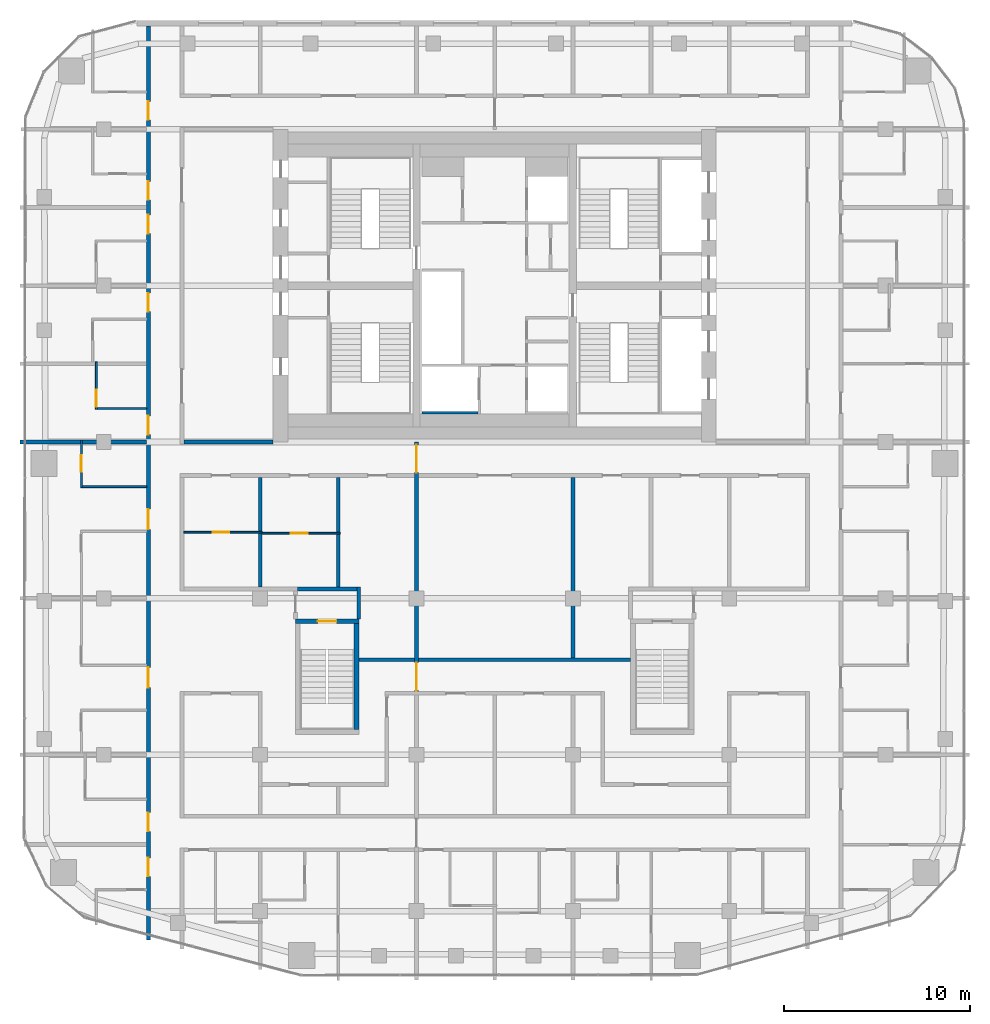
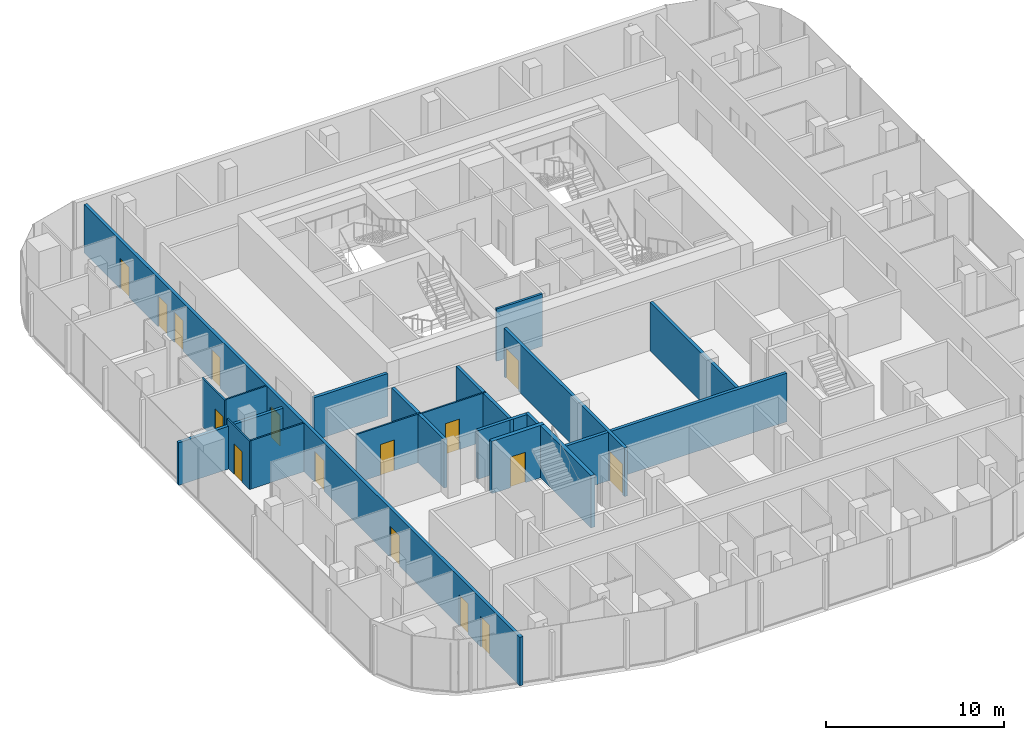
# One storey, part 15 of 22: 19 walls, 16 doors, 16 openings.
"""IFC4 building model written with IfcOpenShell, lengths in metres."""

from ifc_helpers import new_model, si_unit, direction, frame, frame_2d, origin, place, context, subcontext, project, spatial, rectangle, extrude, material, layer, layer_set, type_object, element, fill, save


model = new_model("IFC4")

# Units and contexts
model_context = context("Model", 3, precision=1e-05, world=origin(), true_north=direction((0.0, 1.0)))
body_context = subcontext(model_context, "Body", "Model", "MODEL_VIEW")
ifc_project = project(units=[si_unit("LENGTHUNIT", "METRE"), si_unit("AREAUNIT", "SQUARE_METRE"), si_unit("VOLUMEUNIT", "CUBIC_METRE"), si_unit("PLANEANGLEUNIT", "RADIAN"), si_unit("MASSUNIT", "GRAM", prefix="KILO")], contexts=[model_context])

# Site, building, storey
site_placement = place(None, origin())
site = spatial("IfcSite", under=ifc_project, at=site_placement, CompositionType="ELEMENT")
building_placement = place(site_placement, origin())
building = spatial("IfcBuilding", under=site, at=building_placement, Name="Marenta Gate Hotel Tower", CompositionType="ELEMENT")
storey_placement = place(building_placement, frame((0.0, 0.0, 230.89990234375)))
storey = spatial("IfcBuildingStorey", under=building, at=storey_placement, Name="L54", CompositionType="ELEMENT", Elevation=230.89990234375)

# Wall, openings, doors
ifc_material_1 = material(Name="Concrete blockwork", Category="masonry")
ifc_layer_1 = layer(ifc_material_1, 0.199951171875)
ifc_layer_set_1 = layer_set([ifc_layer_1], Name="Concrete blockwork")
wall_type_1 = type_object("IfcWallType", Name="Compartment wall 200 REI 180", PredefinedType="PARTITIONING", material=ifc_layer_set_1)
wall_1_placement = place(storey_placement, frame((-4.199951171875, -13.60009765625, 0.0), z_axis=(0.0, 0.0, 1.0), x_axis=(0.0, 1.0, 0.0)))
wall_1 = element("IfcWall", 1, at=wall_1_placement, inside=storey, type_object=wall_type_1, Name="L54-PTN-W080", PredefinedType="PARTITIONING", context=body_context, shape_type="SweptSolid", body=[
    extrude(rectangle(XDim=13.60009765625, YDim=0.199951171875, at=frame_2d((6.800048828125, 0.0))), origin(), (0.0, 0.0, 1.0), 3.340087890625),
])
opening_1_placement = place(wall_1_placement, frame((11.949951171875, 0.0, 0.0)))
opening_1 = element("IfcOpeningElement", 2, at=opening_1_placement, cuts=wall_1, Name="Opening G20-FD2", PredefinedType="OPENING", context=body_context, shape_type="SweptSolid", body=[
    extrude(rectangle(XDim=1.5, YDim=2.10009765625, at=frame_2d((0.75, 1.050048828125))), frame((0.0, 0.10009765625, 0.0), z_axis=(0.0, -1.0, 0.0), x_axis=(1.0, 0.0, 0.0)), (0.0, 0.0, 1.0), 0.199951171875),
])
opening_2_placement = place(wall_1_placement, frame((0.25, 0.0, 0.0)))
opening_2 = element("IfcOpeningElement", 3, at=opening_2_placement, cuts=wall_1, Name="Opening G20-FD3", PredefinedType="OPENING", context=body_context, shape_type="SweptSolid", body=[
    extrude(rectangle(XDim=1.5, YDim=2.10009765625, at=frame_2d((0.75, 1.050048828125))), frame((0.0, 0.10009765625, 0.0), z_axis=(0.0, -1.0, 0.0), x_axis=(1.0, 0.0, 0.0)), (0.0, 0.0, 1.0), 0.199951171875),
])
ifc_material_2 = material(Name="Hollow steel door set", Category="steel")
door_type_1 = type_object("IfcDoorType", Name="Compartment fire door 1500x2100 EI 60", OperationType="DOUBLE_DOOR_DOUBLE_SWING", PredefinedType="DOOR", material=ifc_material_2)
door_1_placement = place(opening_1_placement, origin())
door_1 = element("IfcDoor", 4, at=door_1_placement, inside=storey, type_object=door_type_1, Name="L54-PD-FD02", OperationType="DOUBLE_DOOR_DOUBLE_SWING", OverallHeight=2.10009765625, OverallWidth=1.5, PredefinedType="DOOR", context=body_context, shape_type="SweptSolid", body=[
    extrude(rectangle(XDim=1.5, YDim=2.10009765625, at=frame_2d((0.75, 1.050048828125))), frame((0.0, 0.02490234375, 0.0), z_axis=(0.0, -1.0, 0.0), x_axis=(1.0, 0.0, 0.0)), (0.0, 0.0, 1.0), 0.050048828125),
])
fill(opening_1, door_1)
door_2_placement = place(opening_2_placement, origin())
door_2 = element("IfcDoor", 5, at=door_2_placement, inside=storey, type_object=door_type_1, Name="L54-PD-FD03", OperationType="DOUBLE_DOOR_DOUBLE_SWING", OverallHeight=2.10009765625, OverallWidth=1.5, PredefinedType="DOOR", context=body_context, shape_type="SweptSolid", body=[
    extrude(rectangle(XDim=1.5, YDim=2.10009765625, at=frame_2d((0.75, 1.050048828125))), frame((0.0, 0.02490234375, 0.0), z_axis=(0.0, -1.0, 0.0), x_axis=(1.0, 0.0, 0.0)), (0.0, 0.0, 1.0), 0.050048828125),
])
fill(opening_2, door_2)

# Walls
ifc_material_3 = material(Name="Concrete blockwork", Category="masonry")
ifc_layer_2 = layer(ifc_material_3, 0.199951171875)
ifc_layer_set_2 = layer_set([ifc_layer_2], Name="Concrete blockwork")
wall_type_2 = type_object("IfcWallType", Name="Core boundary wall 200 REI 180", PredefinedType="PARTITIONING", material=ifc_layer_set_2)
wall_2_placement = place(storey_placement, frame((-16.699951171875, 0.0, 0.0), z_axis=(0.0, 0.0, 1.0), x_axis=(1.0, 0.0, 0.0)))
element("IfcWall", 6, at=wall_2_placement, inside=storey, type_object=wall_type_2, Name="L54-CP-EW-WS", PredefinedType="PARTITIONING", context=body_context, shape_type="SweptSolid", body=[
    extrude(rectangle(XDim=4.800048828125, YDim=0.199951171875, at=frame_2d((2.39990234375, 0.0))), origin(), (0.0, 0.0, 1.0), 2.940185546875),
])
ifc_material_4 = material(Name="Concrete C40", Category="concrete")
ifc_layer_3 = layer(ifc_material_4, 0.14990234375)
ifc_layer_set_3 = layer_set([ifc_layer_3], Name="Concrete C40")
wall_type_3 = type_object("IfcWallType", Name="Core shaft wall 150 REI 180", PredefinedType="SHEAR", material=ifc_layer_set_3)
wall_3_placement = place(storey_placement, frame((-3.89990234375, 1.574951171875, 0.0), z_axis=(0.0, 0.0, 1.0), x_axis=(1.0, 0.0, 0.0)))
element("IfcWall", 7, at=wall_3_placement, inside=storey, type_object=wall_type_3, Name="L54-SHF-CW-W-ffs", PredefinedType="SHEAR", context=body_context, shape_type="SweptSolid", body=[
    extrude(rectangle(XDim=3.0, YDim=0.14990234375, at=frame_2d((1.5, 0.0))), origin(), (0.0, 0.0, 1.0), 3.60009765625),
])

# Wall, opening, door
ifc_material_5 = material(Name="Concrete C40", Category="concrete")
ifc_layer_4 = layer(ifc_material_5, 0.25)
ifc_layer_set_4 = layer_set([ifc_layer_4], Name="Concrete C40")
wall_type_4 = type_object("IfcWallType", Name="Remote stair enclosure wall 250 REI 180", PredefinedType="SHEAR", material=ifc_layer_set_4)
wall_4_placement = place(storey_placement, frame((-10.699951171875, -9.625, 0.10009765625), z_axis=(0.0, 0.0, 1.0), x_axis=(1.0, 0.0, 0.0)))
wall_4 = element("IfcWall", 8, at=wall_4_placement, inside=storey, type_object=wall_type_4, Name="L54-RS-Z3-1-W2", PredefinedType="SHEAR", context=body_context, shape_type="SweptSolid", body=[
    extrude(rectangle(XDim=3.39990234375, YDim=0.25, at=frame_2d((1.699951171875, 0.0))), origin(), (0.0, 0.0, 1.0), 3.60009765625),
])
opening_3_placement = place(wall_4_placement, frame((1.199951171875, 0.0, 0.0)))
opening_3 = element("IfcOpeningElement", 9, at=opening_3_placement, cuts=wall_4, Name="Opening VD", PredefinedType="OPENING", context=body_context, shape_type="SweptSolid", body=[
    extrude(rectangle(XDim=1.0, YDim=2.10009765625, at=frame_2d((0.5, 1.050048828125))), frame((0.0, 0.125, 0.0), z_axis=(0.0, -1.0, 0.0), x_axis=(1.0, 0.0, 0.0)), (0.0, 0.0, 1.0), 0.25),
])
ifc_material_6 = material(Name="Steel", Category="steel")
door_type_2 = type_object("IfcDoorType", Name="Stair vestibule door 1000x2100 FD60", OperationType="SINGLE_SWING_LEFT", PredefinedType="DOOR", material=ifc_material_6)
door_3_placement = place(opening_3_placement, origin())
door_3 = element("IfcDoor", 10, at=door_3_placement, inside=storey, type_object=door_type_2, Name="VD", OperationType="SINGLE_SWING_LEFT", OverallHeight=2.10009765625, OverallWidth=1.0, PredefinedType="DOOR", context=body_context, shape_type="SweptSolid", body=[
    extrude(rectangle(XDim=1.0, YDim=2.10009765625, at=frame_2d((0.5, 1.050048828125))), frame((0.0, 0.02490234375, 0.0), z_axis=(0.0, -1.0, 0.0), x_axis=(1.0, 0.0, 0.0)), (0.0, 0.0, 1.0), 0.050048828125),
])
fill(opening_3, door_3)

# Walls
wall_5_placement = place(storey_placement, frame((-7.425048828125, -15.449951171875, 0.10009765625), z_axis=(0.0, 0.0, 1.0), x_axis=(0.0, 1.0, 0.0)))
element("IfcWall", 11, at=wall_5_placement, inside=storey, type_object=wall_type_4, Name="L54-RS-Z3-1-W4", PredefinedType="SHEAR", context=body_context, shape_type="SweptSolid", body=[
    extrude(rectangle(XDim=5.699951171875, YDim=0.25, at=frame_2d((2.85009765625, 0.0))), origin(), (0.0, 0.0, 1.0), 3.60009765625),
])
ifc_material_7 = material(Name="Gypsum board on steel stud", Category="steel")
ifc_layer_5 = layer(ifc_material_7, 0.199951171875)
ifc_layer_set_5 = layer_set([ifc_layer_5], Name="Gypsum board on steel stud")
wall_type_5 = type_object("IfcWallType", Name="Room corridor wall 200 EI 60", PredefinedType="PARTITIONING", material=ifc_layer_set_5)
wall_6_placement = place(storey_placement, frame((-7.300048828125, -11.699951171875, 0.0), z_axis=(0.0, 0.0, 1.0), x_axis=(1.0, 0.0, 0.0)))
element("IfcWall", 12, at=wall_6_placement, inside=storey, type_object=wall_type_5, Name="L54-PTN-W045", PredefinedType="PARTITIONING", context=body_context, shape_type="SweptSolid", body=[
    extrude(rectangle(XDim=14.60009765625, YDim=0.199951171875, at=frame_2d((7.300048828125, 0.0))), origin(), (0.0, 0.0, 1.0), 3.340087890625),
])

# Wall, openings, doors
wall_7_placement = place(storey_placement, frame((-18.60009765625, -26.7509765625, 0.0), z_axis=(0.0, 0.0, 1.0), x_axis=(0.0, 1.0, 0.0)))
wall_7 = element("IfcWall", 13, at=wall_7_placement, inside=storey, type_object=wall_type_5, Name="L54-PTN-W113", PredefinedType="PARTITIONING", context=body_context, shape_type="SweptSolid", body=[
    extrude(rectangle(XDim=49.091064453125, YDim=0.199951171875, at=frame_2d((24.54541015625, 0.0))), origin(), (0.0, 0.0, 1.0), 3.340087890625),
])
opening_4_placement = place(wall_7_placement, frame((3.4130859375, 0.0, 0.0)))
opening_4 = element("IfcOpeningElement", 14, at=opening_4_placement, cuts=wall_7, Name="Opening G20-52", PredefinedType="OPENING", context=body_context, shape_type="SweptSolid", body=[
    extrude(rectangle(XDim=1.0, YDim=2.10009765625, at=frame_2d((0.5, 1.050048828125))), frame((0.0, 0.10009765625, 0.0), z_axis=(0.0, -1.0, 0.0), x_axis=(1.0, 0.0, 0.0)), (0.0, 0.0, 1.0), 0.199951171875),
])
opening_5_placement = place(wall_7_placement, frame((5.837890625, 0.0, 0.0)))
opening_5 = element("IfcOpeningElement", 15, at=opening_5_placement, cuts=wall_7, Name="Opening G20-54", PredefinedType="OPENING", context=body_context, shape_type="SweptSolid", body=[
    extrude(rectangle(XDim=1.0, YDim=2.10009765625, at=frame_2d((0.5, 1.050048828125))), frame((0.0, 0.10009765625, 0.0), z_axis=(0.0, -1.0, 0.0), x_axis=(1.0, 0.0, 0.0)), (0.0, 0.0, 1.0), 0.199951171875),
])
opening_6_placement = place(wall_7_placement, frame((13.551025390625, 0.0, 0.0)))
opening_6 = element("IfcOpeningElement", 16, at=opening_6_placement, cuts=wall_7, Name="Opening G20-56", PredefinedType="OPENING", context=body_context, shape_type="SweptSolid", body=[
    extrude(rectangle(XDim=1.10009765625, YDim=2.10009765625, at=frame_2d((0.550048828125, 1.050048828125))), frame((0.0, 0.10009765625, 0.0), z_axis=(0.0, -1.0, 0.0), x_axis=(1.0, 0.0, 0.0)), (0.0, 0.0, 1.0), 0.199951171875),
])
opening_7_placement = place(wall_7_placement, frame((22.051025390625, 0.0, 0.0)))
opening_7 = element("IfcOpeningElement", 17, at=opening_7_placement, cuts=wall_7, Name="Opening G20-59", PredefinedType="OPENING", context=body_context, shape_type="SweptSolid", body=[
    extrude(rectangle(XDim=1.10009765625, YDim=2.10009765625, at=frame_2d((0.550048828125, 1.050048828125))), frame((0.0, 0.10009765625, 0.0), z_axis=(0.0, -1.0, 0.0), x_axis=(1.0, 0.0, 0.0)), (0.0, 0.0, 1.0), 0.199951171875),
])
opening_8_placement = place(wall_7_placement, frame((27.15087890625, 0.0, 0.0)))
opening_8 = element("IfcOpeningElement", 18, at=opening_8_placement, cuts=wall_7, Name="Opening G20-62", PredefinedType="OPENING", context=body_context, shape_type="SweptSolid", body=[
    extrude(rectangle(XDim=1.0, YDim=2.10009765625, at=frame_2d((0.5, 1.050048828125))), frame((0.0, 0.10009765625, 0.0), z_axis=(0.0, -1.0, 0.0), x_axis=(1.0, 0.0, 0.0)), (0.0, 0.0, 1.0), 0.199951171875),
])
opening_9_placement = place(wall_7_placement, frame((33.7509765625, 0.0, 0.0)))
opening_9 = element("IfcOpeningElement", 19, at=opening_9_placement, cuts=wall_7, Name="Opening G20-64", PredefinedType="OPENING", context=body_context, shape_type="SweptSolid", body=[
    extrude(rectangle(XDim=1.0, YDim=2.10009765625, at=frame_2d((0.5, 1.050048828125))), frame((0.0, 0.10009765625, 0.0), z_axis=(0.0, -1.0, 0.0), x_axis=(1.0, 0.0, 0.0)), (0.0, 0.0, 1.0), 0.199951171875),
])
opening_10_placement = place(wall_7_placement, frame((37.950927734375, 0.0, 0.0)))
opening_10 = element("IfcOpeningElement", 20, at=opening_10_placement, cuts=wall_7, Name="Opening G20-66", PredefinedType="OPENING", context=body_context, shape_type="SweptSolid", body=[
    extrude(rectangle(XDim=1.0, YDim=2.10009765625, at=frame_2d((0.5, 1.050048828125))), frame((0.0, 0.10009765625, 0.0), z_axis=(0.0, -1.0, 0.0), x_axis=(1.0, 0.0, 0.0)), (0.0, 0.0, 1.0), 0.199951171875),
])
opening_11_placement = place(wall_7_placement, frame((39.7509765625, 0.0, 0.0)))
opening_11 = element("IfcOpeningElement", 21, at=opening_11_placement, cuts=wall_7, Name="Opening G20-68", PredefinedType="OPENING", context=body_context, shape_type="SweptSolid", body=[
    extrude(rectangle(XDim=1.0, YDim=2.10009765625, at=frame_2d((0.5, 1.050048828125))), frame((0.0, 0.10009765625, 0.0), z_axis=(0.0, -1.0, 0.0), x_axis=(1.0, 0.0, 0.0)), (0.0, 0.0, 1.0), 0.199951171875),
])
opening_12_placement = place(wall_7_placement, frame((44.051025390625, 0.0, 0.0)))
opening_12 = element("IfcOpeningElement", 22, at=opening_12_placement, cuts=wall_7, Name="Opening G20-70", PredefinedType="OPENING", context=body_context, shape_type="SweptSolid", body=[
    extrude(rectangle(XDim=1.0, YDim=2.10009765625, at=frame_2d((0.5, 1.050048828125))), frame((0.0, 0.10009765625, 0.0), z_axis=(0.0, -1.0, 0.0), x_axis=(1.0, 0.0, 0.0)), (0.0, 0.0, 1.0), 0.199951171875),
])
ifc_material_8 = material(Name="Timber door leaf", Category="wood")
door_type_3 = type_object("IfcDoorType", Name="Guest room door 1000x2100 EI 30", OperationType="NOTDEFINED", PredefinedType="DOOR", material=ifc_material_8)
door_4_placement = place(opening_4_placement, origin())
door_4 = element("IfcDoor", 23, at=door_4_placement, inside=storey, type_object=door_type_3, Name="L54-PD-D052", OperationType="SINGLE_SWING_LEFT", OverallHeight=2.10009765625, OverallWidth=1.0, PredefinedType="DOOR", context=body_context, shape_type="SweptSolid", body=[
    extrude(rectangle(XDim=1.0, YDim=2.10009765625, at=frame_2d((0.5, 1.050048828125))), frame((0.0, 0.02490234375, 0.0), z_axis=(0.0, -1.0, 0.0), x_axis=(1.0, 0.0, 0.0)), (0.0, 0.0, 1.0), 0.050048828125),
])
fill(opening_4, door_4)
door_5_placement = place(opening_5_placement, origin())
door_5 = element("IfcDoor", 24, at=door_5_placement, inside=storey, type_object=door_type_3, Name="L54-PD-D054", OperationType="SINGLE_SWING_LEFT", OverallHeight=2.10009765625, OverallWidth=1.0, PredefinedType="DOOR", context=body_context, shape_type="SweptSolid", body=[
    extrude(rectangle(XDim=1.0, YDim=2.10009765625, at=frame_2d((0.5, 1.050048828125))), frame((0.0, 0.02490234375, 0.0), z_axis=(0.0, -1.0, 0.0), x_axis=(1.0, 0.0, 0.0)), (0.0, 0.0, 1.0), 0.050048828125),
])
fill(opening_5, door_5)
door_6_placement = place(opening_8_placement, origin())
door_6 = element("IfcDoor", 25, at=door_6_placement, inside=storey, type_object=door_type_3, Name="L54-PD-D062", OperationType="SINGLE_SWING_LEFT", OverallHeight=2.10009765625, OverallWidth=1.0, PredefinedType="DOOR", context=body_context, shape_type="SweptSolid", body=[
    extrude(rectangle(XDim=1.0, YDim=2.10009765625, at=frame_2d((0.5, 1.050048828125))), frame((0.0, 0.02490234375, 0.0), z_axis=(0.0, -1.0, 0.0), x_axis=(1.0, 0.0, 0.0)), (0.0, 0.0, 1.0), 0.050048828125),
])
fill(opening_8, door_6)
door_7_placement = place(opening_9_placement, origin())
door_7 = element("IfcDoor", 26, at=door_7_placement, inside=storey, type_object=door_type_3, Name="L54-PD-D064", OperationType="SINGLE_SWING_LEFT", OverallHeight=2.10009765625, OverallWidth=1.0, PredefinedType="DOOR", context=body_context, shape_type="SweptSolid", body=[
    extrude(rectangle(XDim=1.0, YDim=2.10009765625, at=frame_2d((0.5, 1.050048828125))), frame((0.0, 0.02490234375, 0.0), z_axis=(0.0, -1.0, 0.0), x_axis=(1.0, 0.0, 0.0)), (0.0, 0.0, 1.0), 0.050048828125),
])
fill(opening_9, door_7)
door_8_placement = place(opening_10_placement, origin())
door_8 = element("IfcDoor", 27, at=door_8_placement, inside=storey, type_object=door_type_3, Name="L54-PD-D066", OperationType="SINGLE_SWING_LEFT", OverallHeight=2.10009765625, OverallWidth=1.0, PredefinedType="DOOR", context=body_context, shape_type="SweptSolid", body=[
    extrude(rectangle(XDim=1.0, YDim=2.10009765625, at=frame_2d((0.5, 1.050048828125))), frame((0.0, 0.02490234375, 0.0), z_axis=(0.0, -1.0, 0.0), x_axis=(1.0, 0.0, 0.0)), (0.0, 0.0, 1.0), 0.050048828125),
])
fill(opening_10, door_8)
door_9_placement = place(opening_11_placement, origin())
door_9 = element("IfcDoor", 28, at=door_9_placement, inside=storey, type_object=door_type_3, Name="L54-PD-D068", OperationType="SINGLE_SWING_LEFT", OverallHeight=2.10009765625, OverallWidth=1.0, PredefinedType="DOOR", context=body_context, shape_type="SweptSolid", body=[
    extrude(rectangle(XDim=1.0, YDim=2.10009765625, at=frame_2d((0.5, 1.050048828125))), frame((0.0, 0.02490234375, 0.0), z_axis=(0.0, -1.0, 0.0), x_axis=(1.0, 0.0, 0.0)), (0.0, 0.0, 1.0), 0.050048828125),
])
fill(opening_11, door_9)
door_10_placement = place(opening_12_placement, origin())
door_10 = element("IfcDoor", 29, at=door_10_placement, inside=storey, type_object=door_type_3, Name="L54-PD-D070", OperationType="SINGLE_SWING_LEFT", OverallHeight=2.10009765625, OverallWidth=1.0, PredefinedType="DOOR", context=body_context, shape_type="SweptSolid", body=[
    extrude(rectangle(XDim=1.0, YDim=2.10009765625, at=frame_2d((0.5, 1.050048828125))), frame((0.0, 0.02490234375, 0.0), z_axis=(0.0, -1.0, 0.0), x_axis=(1.0, 0.0, 0.0)), (0.0, 0.0, 1.0), 0.050048828125),
])
fill(opening_12, door_10)
ifc_material_9 = material(Name="Timber door leaf", Category="wood")
door_type_4 = type_object("IfcDoorType", Name="Guest room door 1100x2100 EI 30", OperationType="NOTDEFINED", PredefinedType="DOOR", material=ifc_material_9)
door_11_placement = place(opening_6_placement, origin())
door_11 = element("IfcDoor", 30, at=door_11_placement, inside=storey, type_object=door_type_4, Name="L54-PD-D056", OperationType="SINGLE_SWING_RIGHT", OverallHeight=2.10009765625, OverallWidth=1.10009765625, PredefinedType="DOOR", context=body_context, shape_type="SweptSolid", body=[
    extrude(rectangle(XDim=1.10009765625, YDim=2.10009765625, at=frame_2d((0.550048828125, 1.050048828125))), frame((0.0, 0.02490234375, 0.0), z_axis=(0.0, -1.0, 0.0), x_axis=(1.0, 0.0, 0.0)), (0.0, 0.0, 1.0), 0.050048828125),
])
fill(opening_6, door_11)
door_12_placement = place(opening_7_placement, origin())
door_12 = element("IfcDoor", 31, at=door_12_placement, inside=storey, type_object=door_type_4, Name="L54-PD-D059", OperationType="SINGLE_SWING_LEFT", OverallHeight=2.10009765625, OverallWidth=1.10009765625, PredefinedType="DOOR", context=body_context, shape_type="SweptSolid", body=[
    extrude(rectangle(XDim=1.10009765625, YDim=2.10009765625, at=frame_2d((0.550048828125, 1.050048828125))), frame((0.0, 0.02490234375, 0.0), z_axis=(0.0, -1.0, 0.0), x_axis=(1.0, 0.0, 0.0)), (0.0, 0.0, 1.0), 0.050048828125),
])
fill(opening_7, door_12)

# Wall, opening, door
ifc_material_10 = material(Name="Gypsum board on steel stud", Category="steel")
ifc_layer_6 = layer(ifc_material_10, 0.10009765625)
ifc_layer_set_6 = layer_set([ifc_layer_6], Name="Gypsum board on steel stud")
wall_type_6 = type_object("IfcWallType", Name="Room partition 100", PredefinedType="PARTITIONING", material=ifc_layer_set_6)
wall_8_placement = place(storey_placement, frame((-12.5, -4.89990234375, 0.0), z_axis=(0.0, 0.0, 1.0), x_axis=(1.0, 0.0, 0.0)))
wall_8 = element("IfcWall", 32, at=wall_8_placement, inside=storey, type_object=wall_type_6, Name="L54-PTN-W059", PredefinedType="PARTITIONING", context=body_context, shape_type="SweptSolid", body=[
    extrude(rectangle(XDim=4.199951171875, YDim=0.10009765625, at=frame_2d((2.10009765625, 0.0))), origin(), (0.0, 0.0, 1.0), 3.340087890625),
])
opening_13_placement = place(wall_8_placement, frame((1.550048828125, 0.0, 0.0)))
opening_13 = element("IfcOpeningElement", 33, at=opening_13_placement, cuts=wall_8, Name="Opening G20-04", PredefinedType="OPENING", context=body_context, shape_type="SweptSolid", body=[
    extrude(rectangle(XDim=0.89990234375, YDim=2.10009765625, at=frame_2d((0.449951171875, 1.050048828125))), frame((0.0, 0.050048828125, 0.0), z_axis=(0.0, -1.0, 0.0), x_axis=(1.0, 0.0, 0.0)), (0.0, 0.0, 1.0), 0.10009765625),
])
ifc_material_11 = material(Name="Timber door leaf", Category="wood")
door_type_5 = type_object("IfcDoorType", Name="Room inner door 900x2100", OperationType="NOTDEFINED", PredefinedType="DOOR", material=ifc_material_11)
door_13_placement = place(opening_13_placement, origin())
door_13 = element("IfcDoor", 34, at=door_13_placement, inside=storey, type_object=door_type_5, Name="L54-PD-D004", OperationType="SINGLE_SWING_RIGHT", OverallHeight=2.10009765625, OverallWidth=0.89990234375, PredefinedType="DOOR", context=body_context, shape_type="SweptSolid", body=[
    extrude(rectangle(XDim=0.89990234375, YDim=2.10009765625, at=frame_2d((0.449951171875, 1.050048828125))), frame((0.0, 0.02490234375, 0.0), z_axis=(0.0, -1.0, 0.0), x_axis=(1.0, 0.0, 0.0)), (0.0, 0.0, 1.0), 0.050048828125),
])
fill(opening_13, door_13)

wall_9_placement = place(storey_placement, frame((-16.699951171875, -4.85009765625, 0.0), z_axis=(0.0, 0.0, 1.0), x_axis=(1.0, 0.0, 0.0)))
wall_9 = element("IfcWall", 35, at=wall_9_placement, inside=storey, type_object=wall_type_6, Name="L54-PTN-W060", PredefinedType="PARTITIONING", context=body_context, shape_type="SweptSolid", body=[
    extrude(rectangle(XDim=4.199951171875, YDim=0.10009765625, at=frame_2d((2.10009765625, 0.0))), origin(), (0.0, 0.0, 1.0), 3.340087890625),
])
opening_14_placement = place(wall_9_placement, frame((1.550048828125, 0.0, 0.0)))
opening_14 = element("IfcOpeningElement", 36, at=opening_14_placement, cuts=wall_9, Name="Opening G20-02", PredefinedType="OPENING", context=body_context, shape_type="SweptSolid", body=[
    extrude(rectangle(XDim=0.89990234375, YDim=2.10009765625, at=frame_2d((0.449951171875, 1.050048828125))), frame((0.0, 0.050048828125, 0.0), z_axis=(0.0, -1.0, 0.0), x_axis=(1.0, 0.0, 0.0)), (0.0, 0.0, 1.0), 0.10009765625),
])
door_14_placement = place(opening_14_placement, origin())
door_14 = element("IfcDoor", 37, at=door_14_placement, inside=storey, type_object=door_type_5, Name="L54-PD-D002", OperationType="SINGLE_SWING_RIGHT", OverallHeight=2.10009765625, OverallWidth=0.89990234375, PredefinedType="DOOR", context=body_context, shape_type="SweptSolid", body=[
    extrude(rectangle(XDim=0.89990234375, YDim=2.10009765625, at=frame_2d((0.449951171875, 1.050048828125))), frame((0.0, 0.02490234375, 0.0), z_axis=(0.0, -1.0, 0.0), x_axis=(1.0, 0.0, 0.0)), (0.0, 0.0, 1.0), 0.050048828125),
])
fill(opening_14, door_14)

# Walls
wall_10_placement = place(storey_placement, frame((-22.14990234375, -2.39990234375, 0.0), z_axis=(0.0, 0.0, 1.0), x_axis=(1.0, 0.0, 0.0)))
element("IfcWall", 38, at=wall_10_placement, inside=storey, type_object=wall_type_6, Name="L54-PTN-W068", PredefinedType="PARTITIONING", context=body_context, shape_type="SweptSolid", body=[
    extrude(rectangle(XDim=3.449951171875, YDim=0.10009765625, at=frame_2d((1.72509765625, 0.0))), origin(), (0.0, 0.0, 1.0), 3.340087890625),
])
wall_11_placement = place(storey_placement, frame((-21.35009765625, 1.800048828125, 0.0), z_axis=(0.0, 0.0, 1.0), x_axis=(1.0, 0.0, 0.0)))
element("IfcWall", 39, at=wall_11_placement, inside=storey, type_object=wall_type_6, Name="L54-PTN-W076", PredefinedType="PARTITIONING", context=body_context, shape_type="SweptSolid", body=[
    extrude(rectangle(XDim=2.650146484375, YDim=0.10009765625, at=frame_2d((1.3251953125, 0.0))), origin(), (0.0, 0.0, 1.0), 3.340087890625),
])

# Wall, opening, door
wall_12_placement = place(storey_placement, frame((-21.39990234375, 1.75, 0.0), z_axis=(0.0, 0.0, 1.0), x_axis=(0.0, 1.0, 0.0)))
wall_12 = element("IfcWall", 40, at=wall_12_placement, inside=storey, type_object=wall_type_6, Name="L54-PTN-W118", PredefinedType="PARTITIONING", context=body_context, shape_type="SweptSolid", body=[
    extrude(rectangle(XDim=2.550048828125, YDim=0.10009765625, at=frame_2d((1.27490234375, 0.0))), origin(), (0.0, 0.0, 1.0), 3.340087890625),
])
opening_15_placement = place(wall_12_placement, frame((0.14990234375, 0.0, 0.0)))
opening_15 = element("IfcOpeningElement", 41, at=opening_15_placement, cuts=wall_12, Name="Opening G20-63", PredefinedType="OPENING", context=body_context, shape_type="SweptSolid", body=[
    extrude(rectangle(XDim=0.89990234375, YDim=2.10009765625, at=frame_2d((0.449951171875, 1.050048828125))), frame((0.0, 0.050048828125, 0.0), z_axis=(0.0, -1.0, 0.0), x_axis=(1.0, 0.0, 0.0)), (0.0, 0.0, 1.0), 0.10009765625),
])
ifc_material_12 = material(Name="Timber door leaf", Category="wood")
door_type_6 = type_object("IfcDoorType", Name="Guest bathroom door 900x2100", OperationType="NOTDEFINED", PredefinedType="DOOR", material=ifc_material_12)
door_15_placement = place(opening_15_placement, origin())
door_15 = element("IfcDoor", 42, at=door_15_placement, inside=storey, type_object=door_type_6, Name="L54-PD-D063", OperationType="SINGLE_SWING_RIGHT", OverallHeight=2.10009765625, OverallWidth=0.89990234375, PredefinedType="DOOR", context=body_context, shape_type="SweptSolid", body=[
    extrude(rectangle(XDim=0.89990234375, YDim=2.10009765625, at=frame_2d((0.449951171875, 1.050048828125))), frame((0.0, 0.02490234375, 0.0), z_axis=(0.0, -1.0, 0.0), x_axis=(1.0, 0.0, 0.0)), (0.0, 0.0, 1.0), 0.050048828125),
])
fill(opening_15, door_15)

wall_13_placement = place(storey_placement, frame((-22.199951171875, -2.449951171875, 0.0), z_axis=(0.0, 0.0, 1.0), x_axis=(0.0, 1.0, 0.0)))
wall_13 = element("IfcWall", 43, at=wall_13_placement, inside=storey, type_object=wall_type_6, Name="L54-PTN-W126", PredefinedType="PARTITIONING", context=body_context, shape_type="SweptSolid", body=[
    extrude(rectangle(XDim=2.550048828125, YDim=0.10009765625, at=frame_2d((1.27490234375, 0.0))), origin(), (0.0, 0.0, 1.0), 3.340087890625),
])
opening_16_placement = place(wall_13_placement, frame((0.85009765625, 0.0, 0.0)))
opening_16 = element("IfcOpeningElement", 44, at=opening_16_placement, cuts=wall_13, Name="Opening G20-61", PredefinedType="OPENING", context=body_context, shape_type="SweptSolid", body=[
    extrude(rectangle(XDim=0.89990234375, YDim=2.10009765625, at=frame_2d((0.449951171875, 1.050048828125))), frame((0.0, 0.050048828125, 0.0), z_axis=(0.0, -1.0, 0.0), x_axis=(1.0, 0.0, 0.0)), (0.0, 0.0, 1.0), 0.10009765625),
])
door_16_placement = place(opening_16_placement, origin())
door_16 = element("IfcDoor", 45, at=door_16_placement, inside=storey, type_object=door_type_5, Name="L54-PD-D061", OperationType="SINGLE_SWING_LEFT", OverallHeight=2.10009765625, OverallWidth=0.89990234375, PredefinedType="DOOR", context=body_context, shape_type="SweptSolid", body=[
    extrude(rectangle(XDim=0.89990234375, YDim=2.10009765625, at=frame_2d((0.449951171875, 1.050048828125))), frame((0.0, 0.02490234375, 0.0), z_axis=(0.0, -1.0, 0.0), x_axis=(1.0, 0.0, 0.0)), (0.0, 0.0, 1.0), 0.050048828125),
])
fill(opening_16, door_16)

# Walls
ifc_material_13 = material(Name="Concrete blockwork", Category="masonry")
ifc_layer_7 = layer(ifc_material_13, 0.199951171875)
ifc_layer_set_7 = layer_set([ifc_layer_7], Name="Concrete blockwork")
wall_type_7 = type_object("IfcWallType", Name="Room party wall 200 EI 120", PredefinedType="PARTITIONING", material=ifc_layer_set_7)
wall_14_placement = place(storey_placement, frame((-8.39990234375, -8.0, 0.0), z_axis=(0.0, 0.0, 1.0), x_axis=(0.0, 1.0, 0.0)))
element("IfcWall", 46, at=wall_14_placement, inside=storey, type_object=wall_type_7, Name="L54-PTN-W090", PredefinedType="PARTITIONING", context=body_context, shape_type="SweptSolid", body=[
    extrude(rectangle(XDim=6.10009765625, YDim=0.199951171875, at=frame_2d((3.050048828125, 0.0))), origin(), (0.0, 0.0, 1.0), 3.340087890625),
])
wall_15_placement = place(storey_placement, frame((-12.60009765625, -7.800048828125, 0.0), z_axis=(0.0, 0.0, 1.0), x_axis=(0.0, 1.0, 0.0)))
element("IfcWall", 47, at=wall_15_placement, inside=storey, type_object=wall_type_7, Name="L54-PTN-W099", PredefinedType="PARTITIONING", context=body_context, shape_type="SweptSolid", body=[
    extrude(rectangle(XDim=5.900146484375, YDim=0.199951171875, at=frame_2d((2.9501953125, 0.0))), origin(), (0.0, 0.0, 1.0), 3.340087890625),
])
ifc_material_14 = material(Name="Gypsum board on steel stud", Category="steel")
ifc_layer_8 = layer(ifc_material_14, 0.199951171875)
ifc_layer_set_8 = layer_set([ifc_layer_8], Name="Gypsum board on steel stud")
wall_type_8 = type_object("IfcWallType", Name="Room party wall 200 EI 60", PredefinedType="PARTITIONING", material=ifc_layer_set_8)
wall_16_placement = place(storey_placement, frame((4.199951171875, -11.60009765625, 0.0), z_axis=(0.0, 0.0, 1.0), x_axis=(0.0, 1.0, 0.0)))
element("IfcWall", 48, at=wall_16_placement, inside=storey, type_object=wall_type_8, Name="L54-PTN-W065", PredefinedType="PARTITIONING", context=body_context, shape_type="SweptSolid", body=[
    extrude(rectangle(XDim=9.7001953125, YDim=0.199951171875, at=frame_2d((4.85009765625, 0.0))), origin(), (0.0, 0.0, 1.0), 3.340087890625),
])
wall_17_placement = place(storey_placement, frame((-25.5, 0.0, 0.0), z_axis=(0.0, 0.0, 1.0), x_axis=(1.0, 0.0, 0.0)))
element("IfcWall", 49, at=wall_17_placement, inside=storey, type_object=wall_type_8, Name="L54-PTN-W074", PredefinedType="PARTITIONING", context=body_context, shape_type="SweptSolid", body=[
    extrude(rectangle(XDim=6.800048828125, YDim=0.199951171875, at=frame_2d((3.39990234375, 0.0))), origin(), (0.0, 0.0, 1.0), 2.940185546875),
])
ifc_material_15 = material(Name="Concrete blockwork", Category="masonry")
ifc_layer_9 = layer(ifc_material_15, 0.199951171875)
ifc_layer_set_9 = layer_set([ifc_layer_9], Name="Concrete blockwork")
wall_type_9 = type_object("IfcWallType", Name="Room party wall 200 REI 180", PredefinedType="PARTITIONING", material=ifc_layer_set_9)
wall_18_placement = place(storey_placement, frame((-10.60009765625, -7.89990234375, 0.0), z_axis=(0.0, 0.0, 1.0), x_axis=(1.0, 0.0, 0.0)))
element("IfcWall", 50, at=wall_18_placement, inside=storey, type_object=wall_type_9, Name="L54-PTN-W054", PredefinedType="PARTITIONING", context=body_context, shape_type="SweptSolid", body=[
    extrude(rectangle(XDim=3.2001953125, YDim=0.199951171875, at=frame_2d((1.60009765625, 0.0))), origin(), (0.0, 0.0, 1.0), 3.340087890625),
])
wall_19_placement = place(storey_placement, frame((-7.300048828125, -9.5, 0.0), z_axis=(0.0, 0.0, 1.0), x_axis=(0.0, 1.0, 0.0)))
element("IfcWall", 51, at=wall_19_placement, inside=storey, type_object=wall_type_9, Name="L54-PTN-W087", PredefinedType="PARTITIONING", context=body_context, shape_type="SweptSolid", body=[
    extrude(rectangle(XDim=1.699951171875, YDim=0.199951171875, at=frame_2d((0.85009765625, 0.0))), origin(), (0.0, 0.0, 1.0), 3.340087890625),
])

save(model, "model.ifc")
